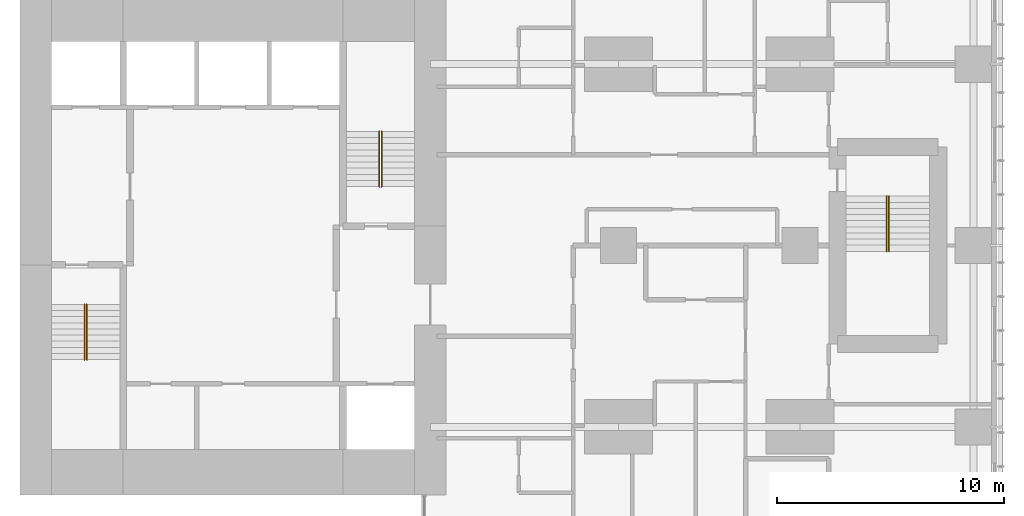
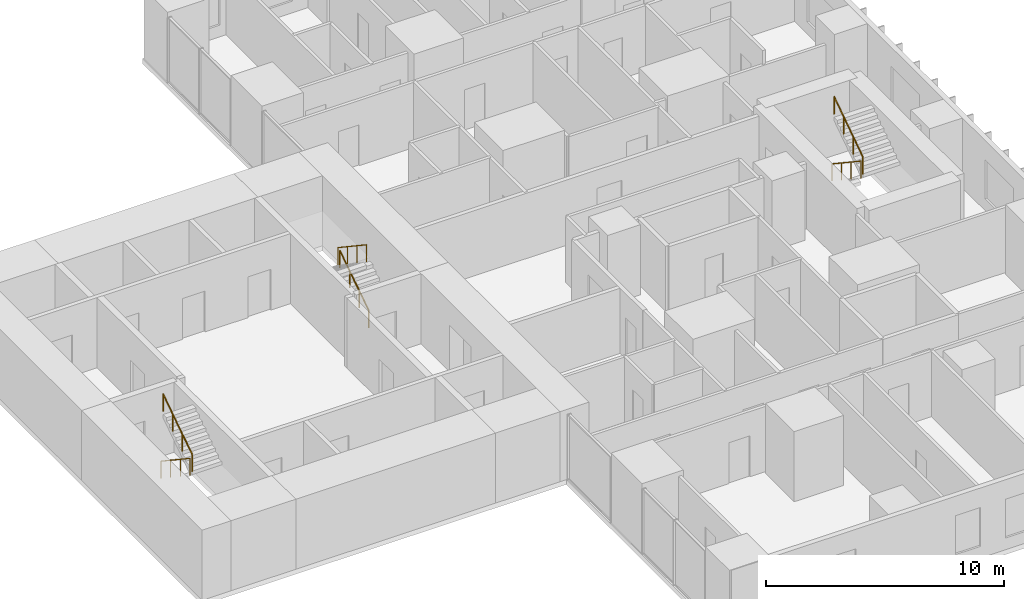
# One storey, part 12 of 12: 6 railings.
"""IFC4 building model written with IfcOpenShell, lengths in metres."""

from ifc_helpers import new_model, si_unit, direction, frame, origin, origin_2d, place, context, subcontext, project, spatial, circle, extrude, material, type_object, element, save


model = new_model("IFC4")

# Units and contexts
model_context = context("Model", 3, precision=1e-05, world=origin(), true_north=direction((0.0, 1.0)))
body_context = subcontext(model_context, "Body", "Model", "MODEL_VIEW")
ifc_project = project(units=[si_unit("LENGTHUNIT", "METRE"), si_unit("AREAUNIT", "SQUARE_METRE"), si_unit("VOLUMEUNIT", "CUBIC_METRE"), si_unit("PLANEANGLEUNIT", "RADIAN"), si_unit("MASSUNIT", "GRAM", prefix="KILO")], contexts=[model_context])

# Site, building, storey
site_placement = place(None, origin())
site = spatial("IfcSite", under=ifc_project, at=site_placement, CompositionType="ELEMENT")
building_placement = place(site_placement, origin())
building = spatial("IfcBuilding", under=site, at=building_placement, Name="Cleftline Residences", CompositionType="ELEMENT")
storey_placement = place(building_placement, frame((0.0, 0.0, 252.0)))
storey = spatial("IfcBuildingStorey", under=building, at=storey_placement, Name="L66", CompositionType="ELEMENT", Elevation=252.0)

# Railings
ifc_material = material(Name="Stainless steel", Category="steel")
railing_type = type_object("IfcRailingType", Name="HANDRAIL 900", PredefinedType="HANDRAIL", material=ifc_material)
railing_1_placement = place(storey_placement, frame((26.449951171875, 21.39990234375, 0.179931640625)))
element("IfcRailing", 1, at=railing_1_placement, inside=storey, type_object=railing_type, Name="Stair handrail", PredefinedType="HANDRAIL", context=body_context, shape_type="SweptSolid", body=[
    extrude(circle(Radius=0.02392578125, at=origin_2d()), frame((0.0, 0.0, 0.8759765625), z_axis=(0.0, -0.832024571796, 0.554738778101), x_axis=(1.0, 0.0, 0.0)), (0.0, 0.0, 1.0), 2.92041015625),
    extrude(circle(Radius=0.02099609375, at=origin_2d()), origin(), (0.0, 0.0, 1.0), 0.851806640625),
    extrude(circle(Radius=0.02099609375, at=origin_2d()), frame((0.0, -0.81005859375, 0.5400390625)), (0.0, 0.0, 1.0), 0.851806640625),
    extrude(circle(Radius=0.02099609375, at=origin_2d()), frame((0.0, -1.619873046875, 1.080078125)), (0.0, 0.0, 1.0), 0.851806640625),
    extrude(circle(Radius=0.02099609375, at=origin_2d()), frame((0.0, -2.429931640625, 1.6201171875)), (0.0, 0.0, 1.0), 0.851806640625),
])
for number, where, name in (
    (2, (26.550048828125, 18.969970703125, 1.97998046875), "Stair handrail"),
    (3, (39.550048828125, 26.60009765625, 0.179931640625), "Stair handrail"),
):
    element("IfcRailing", number, at=place(storey_placement, frame(where)), inside=storey, type_object=railing_type, Name=name, PredefinedType="HANDRAIL", context=body_context, shape_type="SweptSolid", body=[
        extrude(circle(Radius=0.02392578125, at=origin_2d()), frame((0.0, 0.0, 0.8759765625), z_axis=(0.0, 0.832024571796, 0.554738778101), x_axis=(-1.0, 0.0, 0.0)), (0.0, 0.0, 1.0), 2.92041015625),
        extrude(circle(Radius=0.02099609375, at=origin_2d()), origin(), (0.0, 0.0, 1.0), 0.851806640625),
        extrude(circle(Radius=0.02099609375, at=origin_2d()), frame((0.0, 0.81005859375, 0.5400390625)), (0.0, 0.0, 1.0), 0.851806640625),
        extrude(circle(Radius=0.02099609375, at=origin_2d()), frame((0.0, 1.619873046875, 1.080078125)), (0.0, 0.0, 1.0), 0.851806640625),
        extrude(circle(Radius=0.02099609375, at=origin_2d()), frame((0.0, 2.429931640625, 1.6201171875)), (0.0, 0.0, 1.0), 0.851806640625),
    ])
for number, where, name in (
    (4, (39.449951171875, 29.030029296875, 1.97998046875), "Stair handrail"),
    (5, (61.824951171875, 26.175048828125, 0.179931640625), "Stair handrail"),
):
    element("IfcRailing", number, at=place(storey_placement, frame(where)), inside=storey, type_object=railing_type, Name=name, PredefinedType="HANDRAIL", context=body_context, shape_type="SweptSolid", body=[
        extrude(circle(Radius=0.02392578125, at=origin_2d()), frame((0.0, 0.0, 0.8759765625), z_axis=(0.0, -0.832024571796, 0.554738778101), x_axis=(1.0, 0.0, 0.0)), (0.0, 0.0, 1.0), 2.92041015625),
        extrude(circle(Radius=0.02099609375, at=origin_2d()), origin(), (0.0, 0.0, 1.0), 0.851806640625),
        extrude(circle(Radius=0.02099609375, at=origin_2d()), frame((0.0, -0.81005859375, 0.5400390625)), (0.0, 0.0, 1.0), 0.851806640625),
        extrude(circle(Radius=0.02099609375, at=origin_2d()), frame((0.0, -1.619873046875, 1.080078125)), (0.0, 0.0, 1.0), 0.851806640625),
        extrude(circle(Radius=0.02099609375, at=origin_2d()), frame((0.0, -2.429931640625, 1.6201171875)), (0.0, 0.0, 1.0), 0.851806640625),
    ])
railing_2_placement = place(storey_placement, frame((61.925048828125, 23.7451171875, 1.97998046875)))
element("IfcRailing", 6, at=railing_2_placement, inside=storey, type_object=railing_type, Name="Stair handrail", PredefinedType="HANDRAIL", context=body_context, shape_type="SweptSolid", body=[
    extrude(circle(Radius=0.02392578125, at=origin_2d()), frame((0.0, 0.0, 0.8759765625), z_axis=(0.0, 0.832024571796, 0.554738778101), x_axis=(-1.0, 0.0, 0.0)), (0.0, 0.0, 1.0), 2.92041015625),
    extrude(circle(Radius=0.02099609375, at=origin_2d()), origin(), (0.0, 0.0, 1.0), 0.851806640625),
    extrude(circle(Radius=0.02099609375, at=origin_2d()), frame((0.0, 0.81005859375, 0.5400390625)), (0.0, 0.0, 1.0), 0.851806640625),
    extrude(circle(Radius=0.02099609375, at=origin_2d()), frame((0.0, 1.619873046875, 1.080078125)), (0.0, 0.0, 1.0), 0.851806640625),
    extrude(circle(Radius=0.02099609375, at=origin_2d()), frame((0.0, 2.429931640625, 1.6201171875)), (0.0, 0.0, 1.0), 0.851806640625),
])

save(model, "model.ifc")
